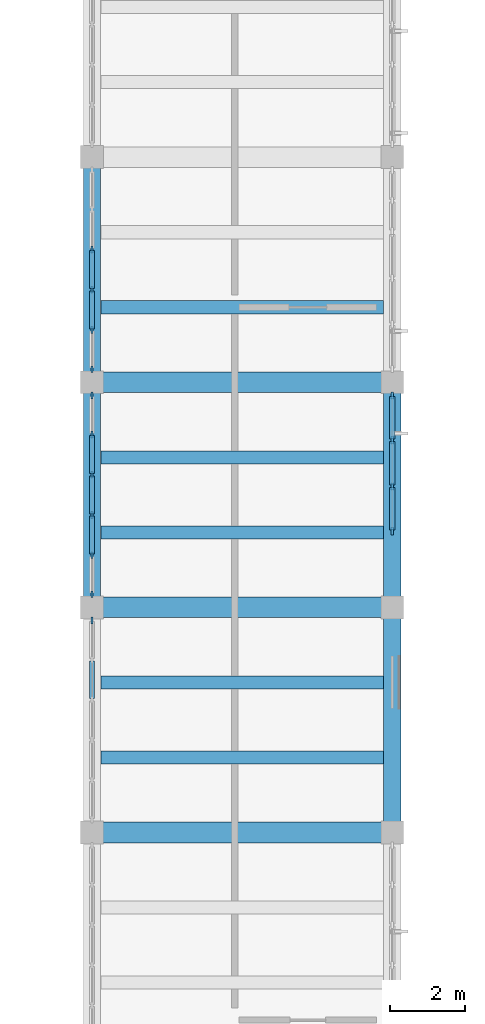
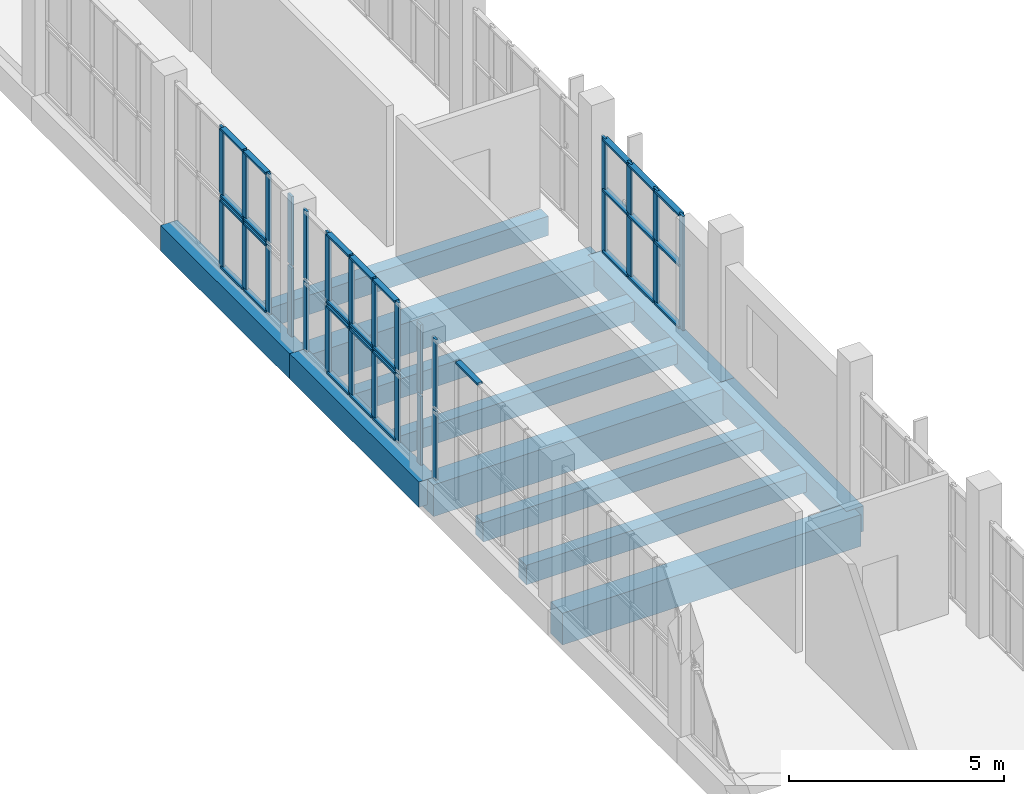
# One storey, part 10 of 85: 56 members, 12 beams, 7 elements without a shape of their own.
"""IFC4 building model written with IfcOpenShell, lengths in metres."""

import ifcopenshell
import ifcopenshell.guid

model = None  # the IFC model being written
_history = None  # IfcOwnerHistory: only IFC2X3 demands one
_inside = {}  # id of a spatial element -> (the spatial element, [elements in it])
_under = {}  # id of a project, library or spatial element -> (it, [spatial elements below it])
_declared = {}  # id of a project -> (the project, [libraries it declares])
_typed = {}  # id of a type object -> (the type object, [elements of that type])
_made_of = {}  # id of a material, layer set ... -> (it, [elements and type objects made of it])


def new_model(schema):
    """Start an empty IFC model of exactly this schema.

    Asked for "IFC4X3", IfcOpenShell would pick the latest addendum, in which some entities
    have other attributes; the version numbers below select the first issue.
    IFC2X3 requires an IfcOwnerHistory on every rooted entity: one is made here for all.
    """
    global model, _history
    if schema == "IFC4X3":
        model = ifcopenshell.file(schema_version=(4, 3, 0, 0))
    else:
        model = ifcopenshell.file(schema=schema)
    _inside.clear()
    _under.clear()
    _declared.clear()
    _typed.clear()
    _made_of.clear()
    _history = None
    if model.schema == "IFC2X3":
        org = make("IfcOrganization", Name="unknown")
        user = make(
            "IfcPersonAndOrganization",
            ThePerson=make("IfcPerson", FamilyName="unknown"),
            TheOrganization=org,
        )
        app = make(
            "IfcApplication",
            ApplicationDeveloper=org,
            Version="unknown",
            ApplicationFullName="unknown",
            ApplicationIdentifier="unknown",
        )
        _history = make(
            "IfcOwnerHistory",
            OwningUser=user,
            OwningApplication=app,
            ChangeAction="ADDED",
            CreationDate=0,
        )
    return model


def make(cls, **values):
    """One entity of the class cls with the attributes given. An attribute that is None is left unset."""
    return model.create_entity(
        cls, **{name: value for name, value in values.items() if value is not None}
    )


def rooted(cls, **values):
    """An entity with a GlobalId (a new one), such as an element, a storey or a relation."""
    return make(cls, GlobalId=ifcopenshell.guid.new(), OwnerHistory=_history, **values)


def si_unit(unit_type, name, prefix=None):
    """IfcSIUnit, for example si_unit("LENGTHUNIT", "METRE", prefix="MILLI")."""
    return make("IfcSIUnit", UnitType=unit_type, Prefix=prefix, Name=name)


def assignment(units):
    """IfcUnitAssignment: the units of a project."""
    return None if units is None else make("IfcUnitAssignment", Units=units)


def point(xyz):
    """IfcCartesianPoint."""
    return None if xyz is None else make("IfcCartesianPoint", Coordinates=xyz)


def direction(xyz):
    """IfcDirection."""
    return None if xyz is None else make("IfcDirection", DirectionRatios=xyz)


def frame(location, z_axis=None, x_axis=None):
    """IfcAxis2Placement3D, a coordinate frame: its origin and axes. An axis left out is left unset."""
    return make(
        "IfcAxis2Placement3D",
        Location=point(location),
        Axis=direction(z_axis),
        RefDirection=direction(x_axis),
    )


def frame_2d(location, x_axis=None):
    """IfcAxis2Placement2D, a coordinate frame in the plane: its origin and x axis."""
    return make(
        "IfcAxis2Placement2D", Location=point(location), RefDirection=direction(x_axis)
    )


def origin():
    """The frame at (0, 0, 0) with its axes left unset."""
    return frame((0.0, 0.0, 0.0))


def origin_2d():
    """The frame at (0, 0) in the plane with its x axis left unset."""
    return frame_2d((0.0, 0.0))


def place(relative_to, where):
    """IfcLocalPlacement: puts the frame where relative to a parent placement (None: the world)."""
    return make(
        "IfcLocalPlacement", PlacementRelTo=relative_to, RelativePlacement=where
    )


def context(
    kind, dimensions, precision=None, world=None, true_north=None, identifier=None
):
    """IfcGeometricRepresentationContext, for example the 3D "Model" context."""
    return make(
        "IfcGeometricRepresentationContext",
        ContextIdentifier=identifier,
        ContextType=kind,
        CoordinateSpaceDimension=dimensions,
        Precision=precision,
        WorldCoordinateSystem=world,
        TrueNorth=true_north,
    )


def subcontext(parent, identifier, kind, view, scale=None):
    """IfcGeometricRepresentationSubContext, for example "Body" below "Model"."""
    return make(
        "IfcGeometricRepresentationSubContext",
        ContextIdentifier=identifier,
        ContextType=kind,
        ParentContext=parent,
        TargetScale=scale,
        TargetView=view,
    )


def project(units=None, contexts=None):
    """IfcProject with its units and contexts."""
    return rooted(
        "IfcProject",
        Name="project",
        RepresentationContexts=contexts,
        UnitsInContext=assignment(units),
    )


def spatial(cls, under=None, at=None, **own):
    """A site, building, storey or space (cls), placed at a placement, below another one or the project."""
    s = rooted(cls, ObjectPlacement=at, **own)
    if under is not None:
        _under.setdefault(under.id(), (under, []))[1].append(s)
    return s


def profile(cls, at=None, kind="AREA", **sizes):
    """A parametric profile (cls). Its sizes go by their IFC names, for example OverallWidth=200.0."""
    return make(cls, ProfileType=kind, Position=at, **sizes)


def rectangle(**sizes):
    """IfcRectangleProfileDef."""
    return profile("IfcRectangleProfileDef", **sizes)


def extrude(swept, where, along, depth):
    """IfcExtrudedAreaSolid: the profile swept, set in the frame where, extruded along a direction by depth."""
    return make(
        "IfcExtrudedAreaSolid",
        SweptArea=swept,
        Position=where,
        ExtrudedDirection=direction(along),
        Depth=depth,
    )


def shape(context_of_items, identifier, shape_type, items):
    """IfcShapeRepresentation: the items that make up one representation, for example the "Body"."""
    return make(
        "IfcShapeRepresentation",
        ContextOfItems=context_of_items,
        RepresentationIdentifier=identifier,
        RepresentationType=shape_type,
        Items=items,
    )


def material(Name=None, Category=None):
    """IfcMaterial."""
    return make("IfcMaterial", Name=Name, Category=Category)


def layer(
    of_material, thickness, ventilated=None, Name=None, Category=None, Priority=None
):
    """IfcMaterialLayer: one layer of a wall or slab, of a material (None: an air gap)."""
    return make(
        "IfcMaterialLayer",
        Material=of_material,
        LayerThickness=thickness,
        IsVentilated=ventilated,
        Name=Name,
        Category=Category,
        Priority=Priority,
    )


def layer_set(layers, Name=None):
    """IfcMaterialLayerSet."""
    return make("IfcMaterialLayerSet", MaterialLayers=layers, LayerSetName=Name)


def material_profile(
    of_material, cross_section, Name=None, Category=None, Priority=None
):
    """IfcMaterialProfile: a cross section and its material."""
    return make(
        "IfcMaterialProfile",
        Name=Name,
        Material=of_material,
        Profile=cross_section,
        Priority=Priority,
        Category=Category,
    )


def profile_set(profiles, Name=None, composite=None):
    """IfcMaterialProfileSet."""
    return make(
        "IfcMaterialProfileSet",
        Name=Name,
        MaterialProfiles=profiles,
        CompositeProfile=composite,
    )


def made_of(thing, what):
    """Note that an element or type object is made of a material, layer set ...; save() writes the relation."""
    if what is not None:
        _made_of.setdefault(what.id(), (what, []))[1].append(thing)
    return thing


def type_object(cls, material=None, **own):
    """A type object (cls), such as IfcWallType, which elements share."""
    return made_of(rooted(cls, **own), material)


def element(
    cls,
    number,
    at=None,
    inside=None,
    cuts=None,
    type_object=None,
    material=None,
    context=None,
    identifier="Body",
    shape_type=None,
    held_by="IfcProductDefinitionShape",
    body=None,
    shapes=None,
    **own,
):
    """One element of the class cls, such as IfcWall. Its Tag is "e" and its number.

    at: its placement. inside: the storey or other place that contains it. cuts: it is an
    opening in that element (IfcRelVoidsElement). A single representation is given by context,
    identifier, shape_type and body (its items); several are given by shapes. held_by: the class
    of the entity that holds the representations. save() writes the other relations.
    """
    e = rooted(cls, Tag="e%d" % number, ObjectPlacement=at, **own)
    if body is not None:
        shapes = [shape(context, identifier, shape_type, body)]
    if shapes is not None:
        e.Representation = make(held_by, Representations=shapes)
    if inside is not None:
        _inside.setdefault(inside.id(), (inside, []))[1].append(e)
    if cuts is not None:
        rooted(
            "IfcRelVoidsElement", RelatingBuildingElement=cuts, RelatedOpeningElement=e
        )
    if type_object is not None:
        _typed.setdefault(type_object.id(), (type_object, []))[1].append(e)
    return made_of(e, material)


def aggregate(whole, parts):
    """IfcRelAggregates: a whole, such as a stair, and the parts it consists of."""
    return rooted("IfcRelAggregates", RelatingObject=whole, RelatedObjects=parts)


def save(model, path):
    """Write the relations noted so far, then the file.

    IfcRelAggregates (storeys below a building ...), IfcRelContainedInSpatialStructure (elements
    in a storey), IfcRelDefinesByType, IfcRelAssociatesMaterial and IfcRelDeclares: one each for
    every whole, place, type object, material and project.
    """
    for whole, parts in _under.values():
        aggregate(whole, parts)
    for where, things in _inside.values():
        rooted(
            "IfcRelContainedInSpatialStructure",
            RelatedElements=things,
            RelatingStructure=where,
        )
    for kind, things in _typed.values():
        rooted("IfcRelDefinesByType", RelatedObjects=things, RelatingType=kind)
    for what, things in _made_of.values():
        rooted("IfcRelAssociatesMaterial", RelatedObjects=things, RelatingMaterial=what)
    for by, libraries in _declared.values():
        rooted("IfcRelDeclares", RelatingContext=by, RelatedDefinitions=libraries)
    model.write(path)


model = new_model("IFC4")

# Units and contexts
model_context = context("Model", 3, precision=1e-05, world=origin(), true_north=direction((0.0, 1.0)))
body_context = subcontext(model_context, "Body", "Model", "MODEL_VIEW")
ifc_project = project(units=[si_unit("LENGTHUNIT", "METRE"), si_unit("AREAUNIT", "SQUARE_METRE"), si_unit("VOLUMEUNIT", "CUBIC_METRE"), si_unit("PLANEANGLEUNIT", "RADIAN"), si_unit("MASSUNIT", "GRAM", prefix="KILO")], contexts=[model_context])

# Site, building, storey
site_placement = place(None, origin())
site = spatial("IfcSite", under=ifc_project, at=site_placement, CompositionType="ELEMENT")
building_placement = place(site_placement, origin())
building = spatial("IfcBuilding", under=site, at=building_placement, Name="Solvane Community Centre", CompositionType="ELEMENT")
storey_placement = place(building_placement, frame((0.0, 0.0, 5.39990234375)))
storey = spatial("IfcBuildingStorey", under=building, at=storey_placement, Name="L01", CompositionType="ELEMENT", Elevation=5.39990234375)

# Curtain wall, members
ifc_material_1 = material(Name="Anodised bronze aluminium AW-6063 T6", Category="aluminium")
ifc_layer_1 = layer(ifc_material_1, 0.18994140625)
ifc_layer_set_1 = layer_set([ifc_layer_1], Name="Anodised bronze aluminium AW-6063 T6")
curtain_wall_type_1 = type_object("IfcCurtainWallType", Name="Boulevard Bronze Vision Curtain Wall [37x32dm]", PredefinedType="NOTDEFINED", material=ifc_layer_set_1)
curtain_wall_1_placement = place(storey_placement, origin())
curtain_wall_1 = element("IfcCurtainWall", 1, at=curtain_wall_1_placement, inside=storey, type_object=curtain_wall_type_1, Name="Curtain Wall CW-L01-680_657-106", PredefinedType="NOTDEFINED")
ifc_material_profile_1 = material_profile(ifc_material_1, rectangle(XDim=0.06005859375, YDim=0.18994140625, at=origin_2d()), Name="CW-M 60x190")
ifc_profile_set_1 = profile_set([ifc_material_profile_1], Name="Anodised bronze aluminium AW-6063 T6")
member_type_1 = type_object("IfcMemberType", Name="Boulevard Mullion 60x190", PredefinedType="MULLION", material=ifc_profile_set_1)
member_1_placement = place(storey_placement, frame((68.0, 65.64990234375, 0.0), z_axis=(0.0, 0.0, 1.0), x_axis=(1.0, 0.0, 0.0)))
member_1 = element("IfcMember", 2, at=member_1_placement, type_object=member_type_1, Name="CW02-37x32 mullion 1", PredefinedType="MULLION", context=body_context, shape_type="SweptSolid", body=[
    extrude(rectangle(XDim=0.06005859375, YDim=0.18994140625, at=origin_2d()), origin(), (0.0, 0.0, 1.0), 3.2451171875),
])
member_2_placement = place(storey_placement, frame((68.0, 64.453369140625, 0.0), z_axis=(0.0, 0.0, 1.0), x_axis=(1.0, 0.0, 0.0)))
member_2 = element("IfcMember", 3, at=member_2_placement, type_object=member_type_1, Name="CW02-37x32 mullion 2", PredefinedType="MULLION", context=body_context, shape_type="SweptSolid", body=[
    extrude(rectangle(XDim=0.06005859375, YDim=0.18994140625, at=origin_2d()), origin(), (0.0, 0.0, 1.0), 3.2451171875),
])
member_3_placement = place(storey_placement, frame((68.0, 63.2265625, 0.0), z_axis=(0.0, 0.0, 1.0), x_axis=(1.0, 0.0, 0.0)))
member_3 = element("IfcMember", 4, at=member_3_placement, type_object=member_type_1, Name="CW02-37x32 mullion 3", PredefinedType="MULLION", context=body_context, shape_type="SweptSolid", body=[
    extrude(rectangle(XDim=0.06005859375, YDim=0.18994140625, at=origin_2d()), origin(), (0.0, 0.0, 1.0), 3.2451171875),
])
member_4_placement = place(storey_placement, frame((68.0, 62.030029296875, 0.0), z_axis=(0.0, 0.0, 1.0), x_axis=(1.0, 0.0, 0.0)))
member_4 = element("IfcMember", 5, at=member_4_placement, type_object=member_type_1, Name="CW02-37x32 mullion 4", PredefinedType="MULLION", context=body_context, shape_type="SweptSolid", body=[
    extrude(rectangle(XDim=0.06005859375, YDim=0.18994140625, at=origin_2d()), origin(), (0.0, 0.0, 1.0), 3.2451171875),
])
ifc_material_profile_2 = material_profile(ifc_material_1, rectangle(XDim=0.14990234375, YDim=0.06005859375, at=origin_2d()), Name="CW-T 60x150")
ifc_profile_set_2 = profile_set([ifc_material_profile_2], Name="Anodised bronze aluminium AW-6063 T6")
member_type_2 = type_object("IfcMemberType", Name="Boulevard Transom 60x150", PredefinedType="USERDEFINED", material=ifc_profile_set_2)
member_5_placement = place(storey_placement, frame((68.0, 65.6201171875, 0.030029296875), z_axis=(0.0, -1.0, 0.0), x_axis=(1.0, 0.0, 0.0)))
member_5 = element("IfcMember", 6, at=member_5_placement, type_object=member_type_2, Name="CW02-37x32 transom 1.1", ObjectType="TRANSOM", PredefinedType="USERDEFINED", context=body_context, shape_type="SweptSolid", body=[
    extrude(rectangle(XDim=0.14990234375, YDim=0.06005859375, at=origin_2d()), origin(), (0.0, 0.0, 1.0), 1.13671875),
])
member_6_placement = place(storey_placement, frame((68.0, 65.6201171875, 1.78515625), z_axis=(0.0, -1.0, 0.0), x_axis=(1.0, 0.0, 0.0)))
member_6 = element("IfcMember", 7, at=member_6_placement, type_object=member_type_2, Name="CW02-37x32 transom 1.2", ObjectType="TRANSOM", PredefinedType="USERDEFINED", context=body_context, shape_type="SweptSolid", body=[
    extrude(rectangle(XDim=0.14990234375, YDim=0.06005859375, at=origin_2d()), origin(), (0.0, 0.0, 1.0), 1.13671875),
])
member_7_placement = place(storey_placement, frame((68.0, 65.6201171875, 3.215087890625), z_axis=(0.0, -1.0, 0.0), x_axis=(1.0, 0.0, 0.0)))
member_7 = element("IfcMember", 8, at=member_7_placement, type_object=member_type_2, Name="CW02-37x32 transom 1.3", ObjectType="TRANSOM", PredefinedType="USERDEFINED", context=body_context, shape_type="SweptSolid", body=[
    extrude(rectangle(XDim=0.14990234375, YDim=0.06005859375, at=origin_2d()), origin(), (0.0, 0.0, 1.0), 1.13671875),
])
member_8_placement = place(storey_placement, frame((68.0, 64.42333984375, 0.030029296875), z_axis=(0.0, -1.0, 0.0), x_axis=(1.0, 0.0, 0.0)))
member_8 = element("IfcMember", 9, at=member_8_placement, type_object=member_type_2, Name="CW02-37x32 transom 2.1", ObjectType="TRANSOM", PredefinedType="USERDEFINED", context=body_context, shape_type="SweptSolid", body=[
    extrude(rectangle(XDim=0.14990234375, YDim=0.06005859375, at=origin_2d()), origin(), (0.0, 0.0, 1.0), 1.166748046875),
])
member_9_placement = place(storey_placement, frame((68.0, 64.42333984375, 1.78515625), z_axis=(0.0, -1.0, 0.0), x_axis=(1.0, 0.0, 0.0)))
member_9 = element("IfcMember", 10, at=member_9_placement, type_object=member_type_2, Name="CW02-37x32 transom 2.2", ObjectType="TRANSOM", PredefinedType="USERDEFINED", context=body_context, shape_type="SweptSolid", body=[
    extrude(rectangle(XDim=0.14990234375, YDim=0.06005859375, at=origin_2d()), origin(), (0.0, 0.0, 1.0), 1.166748046875),
])
member_10_placement = place(storey_placement, frame((68.0, 64.42333984375, 3.215087890625), z_axis=(0.0, -1.0, 0.0), x_axis=(1.0, 0.0, 0.0)))
member_10 = element("IfcMember", 11, at=member_10_placement, type_object=member_type_2, Name="CW02-37x32 transom 2.3", ObjectType="TRANSOM", PredefinedType="USERDEFINED", context=body_context, shape_type="SweptSolid", body=[
    extrude(rectangle(XDim=0.14990234375, YDim=0.06005859375, at=origin_2d()), origin(), (0.0, 0.0, 1.0), 1.166748046875),
])
member_11_placement = place(storey_placement, frame((68.0, 63.19677734375, 0.030029296875), z_axis=(0.0, -1.0, 0.0), x_axis=(1.0, 0.0, 0.0)))
member_11 = element("IfcMember", 12, at=member_11_placement, type_object=member_type_2, Name="CW02-37x32 transom 3.1", ObjectType="TRANSOM", PredefinedType="USERDEFINED", context=body_context, shape_type="SweptSolid", body=[
    extrude(rectangle(XDim=0.14990234375, YDim=0.06005859375, at=origin_2d()), origin(), (0.0, 0.0, 1.0), 1.13671875),
])
member_12_placement = place(storey_placement, frame((68.0, 63.19677734375, 1.78515625), z_axis=(0.0, -1.0, 0.0), x_axis=(1.0, 0.0, 0.0)))
member_12 = element("IfcMember", 13, at=member_12_placement, type_object=member_type_2, Name="CW02-37x32 transom 3.2", ObjectType="TRANSOM", PredefinedType="USERDEFINED", context=body_context, shape_type="SweptSolid", body=[
    extrude(rectangle(XDim=0.14990234375, YDim=0.06005859375, at=origin_2d()), origin(), (0.0, 0.0, 1.0), 1.13671875),
])
member_13_placement = place(storey_placement, frame((68.0, 63.19677734375, 3.215087890625), z_axis=(0.0, -1.0, 0.0), x_axis=(1.0, 0.0, 0.0)))
member_13 = element("IfcMember", 14, at=member_13_placement, type_object=member_type_2, Name="CW02-37x32 transom 3.3", ObjectType="TRANSOM", PredefinedType="USERDEFINED", context=body_context, shape_type="SweptSolid", body=[
    extrude(rectangle(XDim=0.14990234375, YDim=0.06005859375, at=origin_2d()), origin(), (0.0, 0.0, 1.0), 1.13671875),
])
aggregate(curtain_wall_1, [member_1, member_2, member_3, member_4, member_5, member_6, member_7, member_8, member_9, member_10, member_11, member_12, member_13])

# Curtain wall, member
ifc_layer_2 = layer(ifc_material_1, 0.179931640625)
ifc_layer_set_2 = layer_set([ifc_layer_2], Name="Anodised bronze aluminium AW-6063 T6")
curtain_wall_type_2 = type_object("IfcCurtainWallType", Name="Hall Translucent Upper Curtain Wall [54x19dm]", PredefinedType="NOTDEFINED", material=ifc_layer_set_2)
curtain_wall_2_placement = place(storey_placement, origin())
curtain_wall_2 = element("IfcCurtainWall", 15, at=curtain_wall_2_placement, inside=storey, type_object=curtain_wall_type_2, Name="Curtain Wall CW-L01-600_597-045", PredefinedType="NOTDEFINED")
ifc_material_profile_3 = material_profile(ifc_material_1, rectangle(XDim=0.06005859375, YDim=0.179931640625, at=origin_2d()), Name="CW-M 60x180")
ifc_profile_set_3 = profile_set([ifc_material_profile_3], Name="Anodised bronze aluminium AW-6063 T6")
member_type_3 = type_object("IfcMemberType", Name="Hall Mullion 60x180", PredefinedType="MULLION", material=ifc_profile_set_3)
member_14_placement = place(storey_placement, frame((60.0, 59.64990234375, 0.0), z_axis=(0.0, 0.0, 1.0), x_axis=(1.0, 0.0, 0.0)))
member_14 = element("IfcMember", 16, at=member_14_placement, type_object=member_type_3, Name="CW01-54x19 mullion 1", PredefinedType="MULLION", context=body_context, shape_type="SweptSolid", body=[
    extrude(rectangle(XDim=0.06005859375, YDim=0.179931640625, at=origin_2d()), origin(), (0.0, 0.0, 1.0), 1.9501953125),
])
aggregate(curtain_wall_2, [member_14])

ifc_layer_3 = layer(ifc_material_1, 0.179931640625)
ifc_layer_set_3 = layer_set([ifc_layer_3], Name="Anodised bronze aluminium AW-6063 T6")
curtain_wall_type_3 = type_object("IfcCurtainWallType", Name="Hall Translucent Upper Curtain Wall [54x20dm]", PredefinedType="NOTDEFINED", material=ifc_layer_set_3)
curtain_wall_3_placement = place(storey_placement, origin())
curtain_wall_3 = element("IfcCurtainWall", 17, at=curtain_wall_3_placement, inside=storey, type_object=curtain_wall_type_3, Name="Curtain Wall CW-L01-600_597-046", PredefinedType="NOTDEFINED")
member_15_placement = place(storey_placement, frame((60.0, 59.64990234375, 2.02001953125), z_axis=(0.0, 0.0, 1.0), x_axis=(1.0, 0.0, 0.0)))
member_15 = element("IfcMember", 18, at=member_15_placement, type_object=member_type_3, Name="CW01-54x20 mullion 1", PredefinedType="MULLION", context=body_context, shape_type="SweptSolid", body=[
    extrude(rectangle(XDim=0.06005859375, YDim=0.179931640625, at=origin_2d()), origin(), (0.0, 0.0, 1.0), 1.9599609375),
])

# Curtain wall, members
curtain_wall_4_placement = place(storey_placement, origin())
curtain_wall_4 = element("IfcCurtainWall", 19, at=curtain_wall_4_placement, inside=storey, type_object=curtain_wall_type_2, Name="Curtain Wall CW-L01-600_657-051", PredefinedType="NOTDEFINED")
member_16_placement = place(storey_placement, frame((60.0, 65.64990234375, 0.0), z_axis=(0.0, 0.0, 1.0), x_axis=(1.0, 0.0, 0.0)))
member_16 = element("IfcMember", 20, at=member_16_placement, type_object=member_type_3, Name="CW01-54x19 mullion 1", PredefinedType="MULLION", context=body_context, shape_type="SweptSolid", body=[
    extrude(rectangle(XDim=0.06005859375, YDim=0.179931640625, at=origin_2d()), origin(), (0.0, 0.0, 1.0), 1.9501953125),
])
member_17_placement = place(storey_placement, frame((60.0, 64.60791015625, 0.0), z_axis=(0.0, 0.0, 1.0), x_axis=(1.0, 0.0, 0.0)))
member_17 = element("IfcMember", 21, at=member_17_placement, type_object=member_type_3, Name="CW01-54x19 mullion 2", PredefinedType="MULLION", context=body_context, shape_type="SweptSolid", body=[
    extrude(rectangle(XDim=0.06005859375, YDim=0.179931640625, at=origin_2d()), origin(), (0.0, 0.0, 1.0), 1.9501953125),
])
member_18_placement = place(storey_placement, frame((60.0, 63.535888671875, 0.0), z_axis=(0.0, 0.0, 1.0), x_axis=(1.0, 0.0, 0.0)))
member_18 = element("IfcMember", 22, at=member_18_placement, type_object=member_type_3, Name="CW01-54x19 mullion 3", PredefinedType="MULLION", context=body_context, shape_type="SweptSolid", body=[
    extrude(rectangle(XDim=0.06005859375, YDim=0.179931640625, at=origin_2d()), origin(), (0.0, 0.0, 1.0), 1.9501953125),
])
member_19_placement = place(storey_placement, frame((60.0, 62.464111328125, 0.0), z_axis=(0.0, 0.0, 1.0), x_axis=(1.0, 0.0, 0.0)))
member_19 = element("IfcMember", 23, at=member_19_placement, type_object=member_type_3, Name="CW01-54x19 mullion 4", PredefinedType="MULLION", context=body_context, shape_type="SweptSolid", body=[
    extrude(rectangle(XDim=0.06005859375, YDim=0.179931640625, at=origin_2d()), origin(), (0.0, 0.0, 1.0), 1.9501953125),
])
member_20_placement = place(storey_placement, frame((60.0, 61.39208984375, 0.0), z_axis=(0.0, 0.0, 1.0), x_axis=(1.0, 0.0, 0.0)))
member_20 = element("IfcMember", 24, at=member_20_placement, type_object=member_type_3, Name="CW01-54x19 mullion 5", PredefinedType="MULLION", context=body_context, shape_type="SweptSolid", body=[
    extrude(rectangle(XDim=0.06005859375, YDim=0.179931640625, at=origin_2d()), origin(), (0.0, 0.0, 1.0), 1.9501953125),
])
member_21_placement = place(storey_placement, frame((60.0, 60.35009765625, 0.0), z_axis=(0.0, 0.0, 1.0), x_axis=(1.0, 0.0, 0.0)))
member_21 = element("IfcMember", 25, at=member_21_placement, type_object=member_type_3, Name="CW01-54x19 mullion 6", PredefinedType="MULLION", context=body_context, shape_type="SweptSolid", body=[
    extrude(rectangle(XDim=0.06005859375, YDim=0.179931640625, at=origin_2d()), origin(), (0.0, 0.0, 1.0), 1.9501953125),
])

curtain_wall_5_placement = place(storey_placement, origin())
curtain_wall_5 = element("IfcCurtainWall", 26, at=curtain_wall_5_placement, inside=storey, type_object=curtain_wall_type_3, Name="Curtain Wall CW-L01-600_657-052", PredefinedType="NOTDEFINED")
member_22_placement = place(storey_placement, frame((60.0, 65.64990234375, 2.02001953125), z_axis=(0.0, 0.0, 1.0), x_axis=(1.0, 0.0, 0.0)))
member_22 = element("IfcMember", 27, at=member_22_placement, type_object=member_type_3, Name="CW01-54x20 mullion 1", PredefinedType="MULLION", context=body_context, shape_type="SweptSolid", body=[
    extrude(rectangle(XDim=0.06005859375, YDim=0.179931640625, at=origin_2d()), origin(), (0.0, 0.0, 1.0), 1.9599609375),
])
member_23_placement = place(storey_placement, frame((60.0, 64.60791015625, 2.02001953125), z_axis=(0.0, 0.0, 1.0), x_axis=(1.0, 0.0, 0.0)))
member_23 = element("IfcMember", 28, at=member_23_placement, type_object=member_type_3, Name="CW01-54x20 mullion 2", PredefinedType="MULLION", context=body_context, shape_type="SweptSolid", body=[
    extrude(rectangle(XDim=0.06005859375, YDim=0.179931640625, at=origin_2d()), origin(), (0.0, 0.0, 1.0), 1.9599609375),
])
member_24_placement = place(storey_placement, frame((60.0, 63.535888671875, 2.02001953125), z_axis=(0.0, 0.0, 1.0), x_axis=(1.0, 0.0, 0.0)))
member_24 = element("IfcMember", 29, at=member_24_placement, type_object=member_type_3, Name="CW01-54x20 mullion 3", PredefinedType="MULLION", context=body_context, shape_type="SweptSolid", body=[
    extrude(rectangle(XDim=0.06005859375, YDim=0.179931640625, at=origin_2d()), origin(), (0.0, 0.0, 1.0), 1.9599609375),
])
member_25_placement = place(storey_placement, frame((60.0, 62.464111328125, 2.02001953125), z_axis=(0.0, 0.0, 1.0), x_axis=(1.0, 0.0, 0.0)))
member_25 = element("IfcMember", 30, at=member_25_placement, type_object=member_type_3, Name="CW01-54x20 mullion 4", PredefinedType="MULLION", context=body_context, shape_type="SweptSolid", body=[
    extrude(rectangle(XDim=0.06005859375, YDim=0.179931640625, at=origin_2d()), origin(), (0.0, 0.0, 1.0), 1.9599609375),
])
member_26_placement = place(storey_placement, frame((60.0, 61.39208984375, 2.02001953125), z_axis=(0.0, 0.0, 1.0), x_axis=(1.0, 0.0, 0.0)))
member_26 = element("IfcMember", 31, at=member_26_placement, type_object=member_type_3, Name="CW01-54x20 mullion 5", PredefinedType="MULLION", context=body_context, shape_type="SweptSolid", body=[
    extrude(rectangle(XDim=0.06005859375, YDim=0.179931640625, at=origin_2d()), origin(), (0.0, 0.0, 1.0), 1.9599609375),
])
member_27_placement = place(storey_placement, frame((60.0, 60.35009765625, 2.02001953125), z_axis=(0.0, 0.0, 1.0), x_axis=(1.0, 0.0, 0.0)))
member_27 = element("IfcMember", 32, at=member_27_placement, type_object=member_type_3, Name="CW01-54x20 mullion 6", PredefinedType="MULLION", context=body_context, shape_type="SweptSolid", body=[
    extrude(rectangle(XDim=0.06005859375, YDim=0.179931640625, at=origin_2d()), origin(), (0.0, 0.0, 1.0), 1.9599609375),
])

curtain_wall_6_placement = place(storey_placement, origin())
curtain_wall_6 = element("IfcCurtainWall", 33, at=curtain_wall_6_placement, inside=storey, type_object=curtain_wall_type_2, Name="Curtain Wall CW-L01-600_717-059", PredefinedType="NOTDEFINED")
member_28_placement = place(storey_placement, frame((60.0, 69.535888671875, 0.0), z_axis=(0.0, 0.0, 1.0), x_axis=(1.0, 0.0, 0.0)))
member_28 = element("IfcMember", 34, at=member_28_placement, type_object=member_type_3, Name="CW01-54x19 mullion 3", PredefinedType="MULLION", context=body_context, shape_type="SweptSolid", body=[
    extrude(rectangle(XDim=0.06005859375, YDim=0.179931640625, at=origin_2d()), origin(), (0.0, 0.0, 1.0), 1.9501953125),
])
member_29_placement = place(storey_placement, frame((60.0, 68.464111328125, 0.0), z_axis=(0.0, 0.0, 1.0), x_axis=(1.0, 0.0, 0.0)))
member_29 = element("IfcMember", 35, at=member_29_placement, type_object=member_type_3, Name="CW01-54x19 mullion 4", PredefinedType="MULLION", context=body_context, shape_type="SweptSolid", body=[
    extrude(rectangle(XDim=0.06005859375, YDim=0.179931640625, at=origin_2d()), origin(), (0.0, 0.0, 1.0), 1.9501953125),
])
member_30_placement = place(storey_placement, frame((60.0, 67.39208984375, 0.0), z_axis=(0.0, 0.0, 1.0), x_axis=(1.0, 0.0, 0.0)))
member_30 = element("IfcMember", 36, at=member_30_placement, type_object=member_type_3, Name="CW01-54x19 mullion 5", PredefinedType="MULLION", context=body_context, shape_type="SweptSolid", body=[
    extrude(rectangle(XDim=0.06005859375, YDim=0.179931640625, at=origin_2d()), origin(), (0.0, 0.0, 1.0), 1.9501953125),
])
member_31_placement = place(storey_placement, frame((60.0, 66.35009765625, 0.0), z_axis=(0.0, 0.0, 1.0), x_axis=(1.0, 0.0, 0.0)))
member_31 = element("IfcMember", 37, at=member_31_placement, type_object=member_type_3, Name="CW01-54x19 mullion 6", PredefinedType="MULLION", context=body_context, shape_type="SweptSolid", body=[
    extrude(rectangle(XDim=0.06005859375, YDim=0.179931640625, at=origin_2d()), origin(), (0.0, 0.0, 1.0), 1.9501953125),
])

curtain_wall_7_placement = place(storey_placement, origin())
curtain_wall_7 = element("IfcCurtainWall", 38, at=curtain_wall_7_placement, inside=storey, type_object=curtain_wall_type_3, Name="Curtain Wall CW-L01-600_717-060", PredefinedType="NOTDEFINED")
member_32_placement = place(storey_placement, frame((60.0, 69.535888671875, 2.02001953125), z_axis=(0.0, 0.0, 1.0), x_axis=(1.0, 0.0, 0.0)))
member_32 = element("IfcMember", 39, at=member_32_placement, type_object=member_type_3, Name="CW01-54x20 mullion 3", PredefinedType="MULLION", context=body_context, shape_type="SweptSolid", body=[
    extrude(rectangle(XDim=0.06005859375, YDim=0.179931640625, at=origin_2d()), origin(), (0.0, 0.0, 1.0), 1.9599609375),
])
member_33_placement = place(storey_placement, frame((60.0, 68.464111328125, 2.02001953125), z_axis=(0.0, 0.0, 1.0), x_axis=(1.0, 0.0, 0.0)))
member_33 = element("IfcMember", 40, at=member_33_placement, type_object=member_type_3, Name="CW01-54x20 mullion 4", PredefinedType="MULLION", context=body_context, shape_type="SweptSolid", body=[
    extrude(rectangle(XDim=0.06005859375, YDim=0.179931640625, at=origin_2d()), origin(), (0.0, 0.0, 1.0), 1.9599609375),
])
member_34_placement = place(storey_placement, frame((60.0, 67.39208984375, 2.02001953125), z_axis=(0.0, 0.0, 1.0), x_axis=(1.0, 0.0, 0.0)))
member_34 = element("IfcMember", 41, at=member_34_placement, type_object=member_type_3, Name="CW01-54x20 mullion 5", PredefinedType="MULLION", context=body_context, shape_type="SweptSolid", body=[
    extrude(rectangle(XDim=0.06005859375, YDim=0.179931640625, at=origin_2d()), origin(), (0.0, 0.0, 1.0), 1.9599609375),
])
member_35_placement = place(storey_placement, frame((60.0, 66.35009765625, 2.02001953125), z_axis=(0.0, 0.0, 1.0), x_axis=(1.0, 0.0, 0.0)))
member_35 = element("IfcMember", 42, at=member_35_placement, type_object=member_type_3, Name="CW01-54x20 mullion 6", PredefinedType="MULLION", context=body_context, shape_type="SweptSolid", body=[
    extrude(rectangle(XDim=0.06005859375, YDim=0.179931640625, at=origin_2d()), origin(), (0.0, 0.0, 1.0), 1.9599609375),
])

# Member
ifc_material_profile_4 = material_profile(ifc_material_1, rectangle(XDim=0.139892578125, YDim=0.06005859375, at=origin_2d()), Name="CW-T 60x140")
ifc_profile_set_4 = profile_set([ifc_material_profile_4], Name="Anodised bronze aluminium AW-6063 T6")
member_type_4 = type_object("IfcMemberType", Name="Hall Transom 60x140", PredefinedType="USERDEFINED", material=ifc_profile_set_4)
member_36_placement = place(storey_placement, frame((60.0, 58.577880859375, 3.9501953125), z_axis=(0.0, -1.0, 0.0), x_axis=(1.0, 0.0, 0.0)))
member_36 = element("IfcMember", 43, at=member_36_placement, type_object=member_type_4, Name="CW01-54x20 transom 2.2", ObjectType="TRANSOM", PredefinedType="USERDEFINED", context=body_context, shape_type="SweptSolid", body=[
    extrude(rectangle(XDim=0.139892578125, YDim=0.06005859375, at=origin_2d()), origin(), (0.0, 0.0, 1.0), 1.011962890625),
])

aggregate(curtain_wall_3, [member_15, member_36])

member_37_placement = place(storey_placement, frame((60.0, 64.577880859375, 0.030029296875), z_axis=(0.0, -1.0, 0.0), x_axis=(1.0, 0.0, 0.0)))
member_37 = element("IfcMember", 44, at=member_37_placement, type_object=member_type_4, Name="CW01-54x19 transom 2.1", ObjectType="TRANSOM", PredefinedType="USERDEFINED", context=body_context, shape_type="SweptSolid", body=[
    extrude(rectangle(XDim=0.139892578125, YDim=0.06005859375, at=origin_2d()), origin(), (0.0, 0.0, 1.0), 1.011962890625),
])

member_38_placement = place(storey_placement, frame((60.0, 64.577880859375, 1.920166015625), z_axis=(0.0, -1.0, 0.0), x_axis=(1.0, 0.0, 0.0)))
member_38 = element("IfcMember", 45, at=member_38_placement, type_object=member_type_4, Name="CW01-54x19 transom 2.2", ObjectType="TRANSOM", PredefinedType="USERDEFINED", context=body_context, shape_type="SweptSolid", body=[
    extrude(rectangle(XDim=0.139892578125, YDim=0.06005859375, at=origin_2d()), origin(), (0.0, 0.0, 1.0), 1.011962890625),
])

member_39_placement = place(storey_placement, frame((60.0, 63.506103515625, 0.030029296875), z_axis=(0.0, -1.0, 0.0), x_axis=(1.0, 0.0, 0.0)))
member_39 = element("IfcMember", 46, at=member_39_placement, type_object=member_type_4, Name="CW01-54x19 transom 3.1", ObjectType="TRANSOM", PredefinedType="USERDEFINED", context=body_context, shape_type="SweptSolid", body=[
    extrude(rectangle(XDim=0.139892578125, YDim=0.06005859375, at=origin_2d()), origin(), (0.0, 0.0, 1.0), 1.01220703125),
])

member_40_placement = place(storey_placement, frame((60.0, 63.506103515625, 1.920166015625), z_axis=(0.0, -1.0, 0.0), x_axis=(1.0, 0.0, 0.0)))
member_40 = element("IfcMember", 47, at=member_40_placement, type_object=member_type_4, Name="CW01-54x19 transom 3.2", ObjectType="TRANSOM", PredefinedType="USERDEFINED", context=body_context, shape_type="SweptSolid", body=[
    extrude(rectangle(XDim=0.139892578125, YDim=0.06005859375, at=origin_2d()), origin(), (0.0, 0.0, 1.0), 1.01220703125),
])

member_41_placement = place(storey_placement, frame((60.0, 62.43408203125, 0.030029296875), z_axis=(0.0, -1.0, 0.0), x_axis=(1.0, 0.0, 0.0)))
member_41 = element("IfcMember", 48, at=member_41_placement, type_object=member_type_4, Name="CW01-54x19 transom 4.1", ObjectType="TRANSOM", PredefinedType="USERDEFINED", context=body_context, shape_type="SweptSolid", body=[
    extrude(rectangle(XDim=0.139892578125, YDim=0.06005859375, at=origin_2d()), origin(), (0.0, 0.0, 1.0), 1.011962890625),
])

member_42_placement = place(storey_placement, frame((60.0, 62.43408203125, 1.920166015625), z_axis=(0.0, -1.0, 0.0), x_axis=(1.0, 0.0, 0.0)))
member_42 = element("IfcMember", 49, at=member_42_placement, type_object=member_type_4, Name="CW01-54x19 transom 4.2", ObjectType="TRANSOM", PredefinedType="USERDEFINED", context=body_context, shape_type="SweptSolid", body=[
    extrude(rectangle(XDim=0.139892578125, YDim=0.06005859375, at=origin_2d()), origin(), (0.0, 0.0, 1.0), 1.011962890625),
])

aggregate(curtain_wall_4, [member_16, member_17, member_18, member_19, member_20, member_21, member_37, member_38, member_39, member_40, member_41, member_42])

member_43_placement = place(storey_placement, frame((60.0, 64.577880859375, 2.050048828125), z_axis=(0.0, -1.0, 0.0), x_axis=(1.0, 0.0, 0.0)))
member_43 = element("IfcMember", 50, at=member_43_placement, type_object=member_type_4, Name="CW01-54x20 transom 2.1", ObjectType="TRANSOM", PredefinedType="USERDEFINED", context=body_context, shape_type="SweptSolid", body=[
    extrude(rectangle(XDim=0.139892578125, YDim=0.06005859375, at=origin_2d()), origin(), (0.0, 0.0, 1.0), 1.011962890625),
])

member_44_placement = place(storey_placement, frame((60.0, 64.577880859375, 3.9501953125), z_axis=(0.0, -1.0, 0.0), x_axis=(1.0, 0.0, 0.0)))
member_44 = element("IfcMember", 51, at=member_44_placement, type_object=member_type_4, Name="CW01-54x20 transom 2.2", ObjectType="TRANSOM", PredefinedType="USERDEFINED", context=body_context, shape_type="SweptSolid", body=[
    extrude(rectangle(XDim=0.139892578125, YDim=0.06005859375, at=origin_2d()), origin(), (0.0, 0.0, 1.0), 1.011962890625),
])

member_45_placement = place(storey_placement, frame((60.0, 63.506103515625, 2.050048828125), z_axis=(0.0, -1.0, 0.0), x_axis=(1.0, 0.0, 0.0)))
member_45 = element("IfcMember", 52, at=member_45_placement, type_object=member_type_4, Name="CW01-54x20 transom 3.1", ObjectType="TRANSOM", PredefinedType="USERDEFINED", context=body_context, shape_type="SweptSolid", body=[
    extrude(rectangle(XDim=0.139892578125, YDim=0.06005859375, at=origin_2d()), origin(), (0.0, 0.0, 1.0), 1.01220703125),
])

member_46_placement = place(storey_placement, frame((60.0, 63.506103515625, 3.9501953125), z_axis=(0.0, -1.0, 0.0), x_axis=(1.0, 0.0, 0.0)))
member_46 = element("IfcMember", 53, at=member_46_placement, type_object=member_type_4, Name="CW01-54x20 transom 3.2", ObjectType="TRANSOM", PredefinedType="USERDEFINED", context=body_context, shape_type="SweptSolid", body=[
    extrude(rectangle(XDim=0.139892578125, YDim=0.06005859375, at=origin_2d()), origin(), (0.0, 0.0, 1.0), 1.01220703125),
])

member_47_placement = place(storey_placement, frame((60.0, 62.43408203125, 2.050048828125), z_axis=(0.0, -1.0, 0.0), x_axis=(1.0, 0.0, 0.0)))
member_47 = element("IfcMember", 54, at=member_47_placement, type_object=member_type_4, Name="CW01-54x20 transom 4.1", ObjectType="TRANSOM", PredefinedType="USERDEFINED", context=body_context, shape_type="SweptSolid", body=[
    extrude(rectangle(XDim=0.139892578125, YDim=0.06005859375, at=origin_2d()), origin(), (0.0, 0.0, 1.0), 1.011962890625),
])

member_48_placement = place(storey_placement, frame((60.0, 62.43408203125, 3.9501953125), z_axis=(0.0, -1.0, 0.0), x_axis=(1.0, 0.0, 0.0)))
member_48 = element("IfcMember", 55, at=member_48_placement, type_object=member_type_4, Name="CW01-54x20 transom 4.2", ObjectType="TRANSOM", PredefinedType="USERDEFINED", context=body_context, shape_type="SweptSolid", body=[
    extrude(rectangle(XDim=0.139892578125, YDim=0.06005859375, at=origin_2d()), origin(), (0.0, 0.0, 1.0), 1.011962890625),
])

aggregate(curtain_wall_5, [member_22, member_23, member_24, member_25, member_26, member_27, member_43, member_44, member_45, member_46, member_47, member_48])

member_49_placement = place(storey_placement, frame((60.0, 69.506103515625, 0.030029296875), z_axis=(0.0, -1.0, 0.0), x_axis=(1.0, 0.0, 0.0)))
member_49 = element("IfcMember", 56, at=member_49_placement, type_object=member_type_4, Name="CW01-54x19 transom 3.1", ObjectType="TRANSOM", PredefinedType="USERDEFINED", context=body_context, shape_type="SweptSolid", body=[
    extrude(rectangle(XDim=0.139892578125, YDim=0.06005859375, at=origin_2d()), origin(), (0.0, 0.0, 1.0), 1.01220703125),
])

member_50_placement = place(storey_placement, frame((60.0, 69.506103515625, 1.920166015625), z_axis=(0.0, -1.0, 0.0), x_axis=(1.0, 0.0, 0.0)))
member_50 = element("IfcMember", 57, at=member_50_placement, type_object=member_type_4, Name="CW01-54x19 transom 3.2", ObjectType="TRANSOM", PredefinedType="USERDEFINED", context=body_context, shape_type="SweptSolid", body=[
    extrude(rectangle(XDim=0.139892578125, YDim=0.06005859375, at=origin_2d()), origin(), (0.0, 0.0, 1.0), 1.01220703125),
])

member_51_placement = place(storey_placement, frame((60.0, 68.43408203125, 0.030029296875), z_axis=(0.0, -1.0, 0.0), x_axis=(1.0, 0.0, 0.0)))
member_51 = element("IfcMember", 58, at=member_51_placement, type_object=member_type_4, Name="CW01-54x19 transom 4.1", ObjectType="TRANSOM", PredefinedType="USERDEFINED", context=body_context, shape_type="SweptSolid", body=[
    extrude(rectangle(XDim=0.139892578125, YDim=0.06005859375, at=origin_2d()), origin(), (0.0, 0.0, 1.0), 1.011962890625),
])

member_52_placement = place(storey_placement, frame((60.0, 68.43408203125, 1.920166015625), z_axis=(0.0, -1.0, 0.0), x_axis=(1.0, 0.0, 0.0)))
member_52 = element("IfcMember", 59, at=member_52_placement, type_object=member_type_4, Name="CW01-54x19 transom 4.2", ObjectType="TRANSOM", PredefinedType="USERDEFINED", context=body_context, shape_type="SweptSolid", body=[
    extrude(rectangle(XDim=0.139892578125, YDim=0.06005859375, at=origin_2d()), origin(), (0.0, 0.0, 1.0), 1.011962890625),
])

aggregate(curtain_wall_6, [member_28, member_29, member_30, member_31, member_49, member_50, member_51, member_52])

member_53_placement = place(storey_placement, frame((60.0, 69.506103515625, 2.050048828125), z_axis=(0.0, -1.0, 0.0), x_axis=(1.0, 0.0, 0.0)))
member_53 = element("IfcMember", 60, at=member_53_placement, type_object=member_type_4, Name="CW01-54x20 transom 3.1", ObjectType="TRANSOM", PredefinedType="USERDEFINED", context=body_context, shape_type="SweptSolid", body=[
    extrude(rectangle(XDim=0.139892578125, YDim=0.06005859375, at=origin_2d()), origin(), (0.0, 0.0, 1.0), 1.01220703125),
])

member_54_placement = place(storey_placement, frame((60.0, 69.506103515625, 3.9501953125), z_axis=(0.0, -1.0, 0.0), x_axis=(1.0, 0.0, 0.0)))
member_54 = element("IfcMember", 61, at=member_54_placement, type_object=member_type_4, Name="CW01-54x20 transom 3.2", ObjectType="TRANSOM", PredefinedType="USERDEFINED", context=body_context, shape_type="SweptSolid", body=[
    extrude(rectangle(XDim=0.139892578125, YDim=0.06005859375, at=origin_2d()), origin(), (0.0, 0.0, 1.0), 1.01220703125),
])

member_55_placement = place(storey_placement, frame((60.0, 68.43408203125, 2.050048828125), z_axis=(0.0, -1.0, 0.0), x_axis=(1.0, 0.0, 0.0)))
member_55 = element("IfcMember", 62, at=member_55_placement, type_object=member_type_4, Name="CW01-54x20 transom 4.1", ObjectType="TRANSOM", PredefinedType="USERDEFINED", context=body_context, shape_type="SweptSolid", body=[
    extrude(rectangle(XDim=0.139892578125, YDim=0.06005859375, at=origin_2d()), origin(), (0.0, 0.0, 1.0), 1.011962890625),
])

member_56_placement = place(storey_placement, frame((60.0, 68.43408203125, 3.9501953125), z_axis=(0.0, -1.0, 0.0), x_axis=(1.0, 0.0, 0.0)))
member_56 = element("IfcMember", 63, at=member_56_placement, type_object=member_type_4, Name="CW01-54x20 transom 4.2", ObjectType="TRANSOM", PredefinedType="USERDEFINED", context=body_context, shape_type="SweptSolid", body=[
    extrude(rectangle(XDim=0.139892578125, YDim=0.06005859375, at=origin_2d()), origin(), (0.0, 0.0, 1.0), 1.011962890625),
])

aggregate(curtain_wall_7, [member_32, member_33, member_34, member_35, member_53, member_54, member_55, member_56])

# Beams
ifc_material_2 = material(Name="Concrete C35/45", Category="concrete")
ifc_material_profile_5 = material_profile(ifc_material_2, rectangle(XDim=0.4599609375, YDim=0.719970703125, at=origin_2d()), Name="RC 460x720")
ifc_profile_set_5 = profile_set([ifc_material_profile_5], Name="Concrete C35/45")
beam_type_1 = type_object("IfcBeamType", Name="RC Cloister Beam 460x720", PredefinedType="BEAM", material=ifc_profile_set_5)
for number, where, z_axis, x_axis, name in (
    (64, (60.0, 60.0, -0.599853515625), (0.0, 1.0, 0.0), (-1.0, 0.0, 0.0), "Beam BM-L01-600_600-600_660"),
    (65, (60.0, 66.0, -0.599853515625), (0.0, 1.0, 0.0), (-1.0, 0.0, 0.0), "Beam BM-L01-600_660-600_720"),
    (66, (68.0, 54.0, -0.599853515625), (0.0, 1.0, 0.0), (-1.0, 0.0, 0.0), "Beam BM-L01-680_540-680_600"),
    (67, (68.0, 60.0, -0.599853515625), (0.0, 1.0, 0.0), (-1.0, 0.0, 0.0), "Beam BM-L01-680_600-680_660"),
):
    element("IfcBeam", number, at=place(storey_placement, frame(where, z_axis=z_axis, x_axis=x_axis)), inside=storey, type_object=beam_type_1, Name=name, PredefinedType="BEAM", context=body_context, shape_type="SweptSolid", body=[
        extrude(rectangle(XDim=0.4599609375, YDim=0.719970703125, at=origin_2d()), origin(), (0.0, 0.0, 1.0), 6.0),
    ])
ifc_material_profile_6 = material_profile(ifc_material_2, rectangle(XDim=0.550048828125, YDim=0.89990234375, at=origin_2d()), Name="RC 550x900")
ifc_profile_set_6 = profile_set([ifc_material_profile_6], Name="Concrete C35/45")
beam_type_2 = type_object("IfcBeamType", Name="RC Heavy Girder 550x900", PredefinedType="USERDEFINED", material=ifc_profile_set_6)
for number, where, z_axis, x_axis, name in (
    (68, (60.0, 54.0, -0.68994140625), (1.0, 0.0, 0.0), (0.0, 1.0, 0.0), "Beam BM-L01-600_540-680_540"),
    (69, (60.0, 60.0, -0.68994140625), (1.0, 0.0, 0.0), (0.0, 1.0, 0.0), "Beam BM-L01-600_600-680_600"),
    (70, (60.0, 66.0, -0.68994140625), (1.0, 0.0, 0.0), (0.0, 1.0, 0.0), "Beam BM-L01-600_660-680_660"),
):
    element("IfcBeam", number, at=place(storey_placement, frame(where, z_axis=z_axis, x_axis=x_axis)), inside=storey, type_object=beam_type_2, Name=name, ObjectType="GIRDER", PredefinedType="USERDEFINED", context=body_context, shape_type="SweptSolid", body=[
        extrude(rectangle(XDim=0.550048828125, YDim=0.89990234375, at=origin_2d()), origin(), (0.0, 0.0, 1.0), 8.0),
    ])
ifc_material_profile_7 = material_profile(ifc_material_2, rectangle(XDim=0.35009765625, YDim=0.550048828125, at=origin_2d()), Name="RC 350x550")
ifc_profile_set_7 = profile_set([ifc_material_profile_7], Name="Concrete C35/45")
beam_type_3 = type_object("IfcBeamType", Name="RC Secondary Joist 350x550", PredefinedType="JOIST", material=ifc_profile_set_7)
for number, where, z_axis, x_axis, name in (
    (71, (60.239990234375, 56.0, -0.514892578125), (1.0, 0.0, 0.0), (0.0, 1.0, 0.0), "Beam BM-L01-602_560-678_560"),
    (72, (60.239990234375, 58.0, -0.514892578125), (1.0, 0.0, 0.0), (0.0, 1.0, 0.0), "Beam BM-L01-602_580-678_580"),
    (73, (60.239990234375, 62.0, -0.514892578125), (1.0, 0.0, 0.0), (0.0, 1.0, 0.0), "Beam BM-L01-602_620-678_620"),
    (74, (60.239990234375, 64.0, -0.514892578125), (1.0, 0.0, 0.0), (0.0, 1.0, 0.0), "Beam BM-L01-602_640-678_640"),
    (75, (60.239990234375, 68.0, -0.514892578125), (1.0, 0.0, 0.0), (0.0, 1.0, 0.0), "Beam BM-L01-602_680-678_680"),
):
    element("IfcBeam", number, at=place(storey_placement, frame(where, z_axis=z_axis, x_axis=x_axis)), inside=storey, type_object=beam_type_3, Name=name, PredefinedType="JOIST", context=body_context, shape_type="SweptSolid", body=[
        extrude(rectangle(XDim=0.35009765625, YDim=0.550048828125, at=origin_2d()), origin(), (0.0, 0.0, 1.0), 7.52001953125),
    ])

save(model, "model.ifc")
